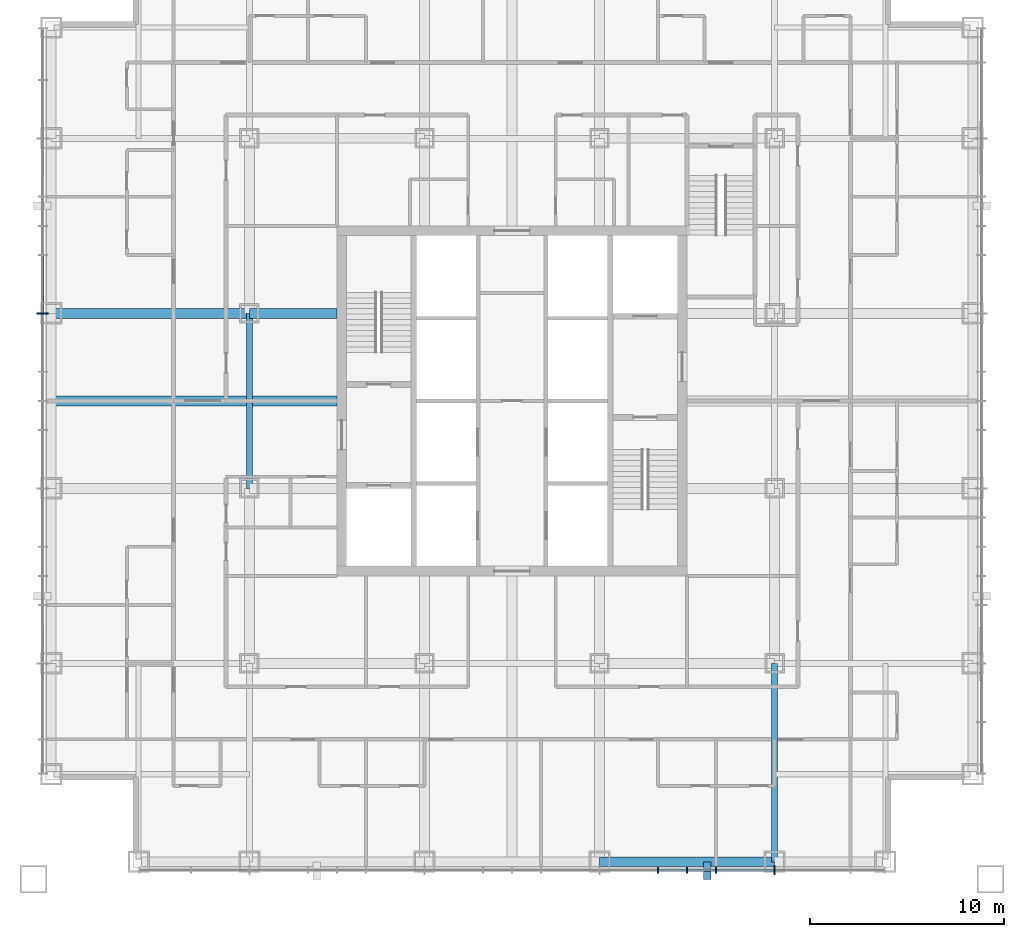
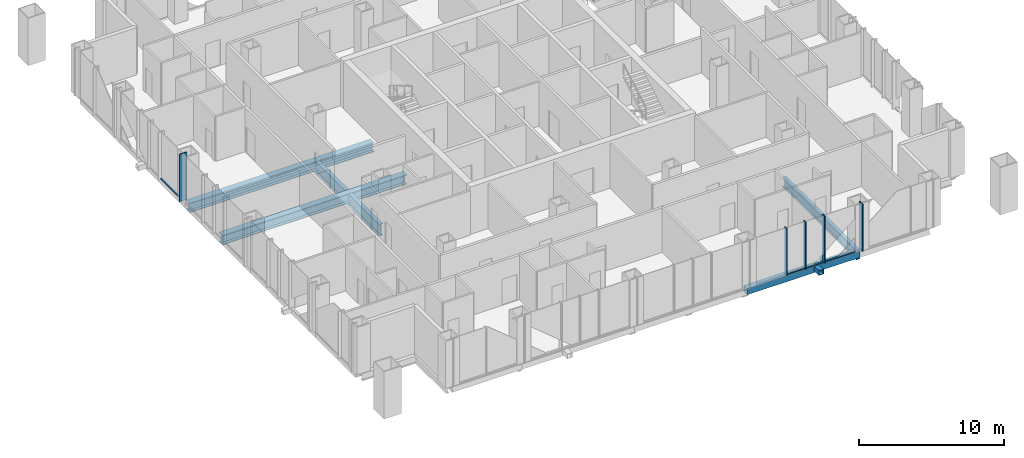
# One storey, part 3 of 14: 10 members, 6 beams, 2 elements without a shape of their own.
"""IFC4 building model written with IfcOpenShell, lengths in metres."""

import ifcopenshell
import ifcopenshell.guid

model = None  # the IFC model being written
_history = None  # IfcOwnerHistory: only IFC2X3 demands one
_inside = {}  # id of a spatial element -> (the spatial element, [elements in it])
_under = {}  # id of a project, library or spatial element -> (it, [spatial elements below it])
_declared = {}  # id of a project -> (the project, [libraries it declares])
_typed = {}  # id of a type object -> (the type object, [elements of that type])
_made_of = {}  # id of a material, layer set ... -> (it, [elements and type objects made of it])


def new_model(schema):
    """Start an empty IFC model of exactly this schema.

    Asked for "IFC4X3", IfcOpenShell would pick the latest addendum, in which some entities
    have other attributes; the version numbers below select the first issue.
    IFC2X3 requires an IfcOwnerHistory on every rooted entity: one is made here for all.
    """
    global model, _history
    if schema == "IFC4X3":
        model = ifcopenshell.file(schema_version=(4, 3, 0, 0))
    else:
        model = ifcopenshell.file(schema=schema)
    _inside.clear()
    _under.clear()
    _declared.clear()
    _typed.clear()
    _made_of.clear()
    _history = None
    if model.schema == "IFC2X3":
        org = make("IfcOrganization", Name="unknown")
        user = make(
            "IfcPersonAndOrganization",
            ThePerson=make("IfcPerson", FamilyName="unknown"),
            TheOrganization=org,
        )
        app = make(
            "IfcApplication",
            ApplicationDeveloper=org,
            Version="unknown",
            ApplicationFullName="unknown",
            ApplicationIdentifier="unknown",
        )
        _history = make(
            "IfcOwnerHistory",
            OwningUser=user,
            OwningApplication=app,
            ChangeAction="ADDED",
            CreationDate=0,
        )
    return model


def make(cls, **values):
    """One entity of the class cls with the attributes given. An attribute that is None is left unset."""
    return model.create_entity(
        cls, **{name: value for name, value in values.items() if value is not None}
    )


def rooted(cls, **values):
    """An entity with a GlobalId (a new one), such as an element, a storey or a relation."""
    return make(cls, GlobalId=ifcopenshell.guid.new(), OwnerHistory=_history, **values)


def si_unit(unit_type, name, prefix=None):
    """IfcSIUnit, for example si_unit("LENGTHUNIT", "METRE", prefix="MILLI")."""
    return make("IfcSIUnit", UnitType=unit_type, Prefix=prefix, Name=name)


def assignment(units):
    """IfcUnitAssignment: the units of a project."""
    return None if units is None else make("IfcUnitAssignment", Units=units)


def point(xyz):
    """IfcCartesianPoint."""
    return None if xyz is None else make("IfcCartesianPoint", Coordinates=xyz)


def direction(xyz):
    """IfcDirection."""
    return None if xyz is None else make("IfcDirection", DirectionRatios=xyz)


def frame(location, z_axis=None, x_axis=None):
    """IfcAxis2Placement3D, a coordinate frame: its origin and axes. An axis left out is left unset."""
    return make(
        "IfcAxis2Placement3D",
        Location=point(location),
        Axis=direction(z_axis),
        RefDirection=direction(x_axis),
    )


def frame_2d(location, x_axis=None):
    """IfcAxis2Placement2D, a coordinate frame in the plane: its origin and x axis."""
    return make(
        "IfcAxis2Placement2D", Location=point(location), RefDirection=direction(x_axis)
    )


def origin():
    """The frame at (0, 0, 0) with its axes left unset."""
    return frame((0.0, 0.0, 0.0))


def origin_2d():
    """The frame at (0, 0) in the plane with its x axis left unset."""
    return frame_2d((0.0, 0.0))


def place(relative_to, where):
    """IfcLocalPlacement: puts the frame where relative to a parent placement (None: the world)."""
    return make(
        "IfcLocalPlacement", PlacementRelTo=relative_to, RelativePlacement=where
    )


def context(
    kind, dimensions, precision=None, world=None, true_north=None, identifier=None
):
    """IfcGeometricRepresentationContext, for example the 3D "Model" context."""
    return make(
        "IfcGeometricRepresentationContext",
        ContextIdentifier=identifier,
        ContextType=kind,
        CoordinateSpaceDimension=dimensions,
        Precision=precision,
        WorldCoordinateSystem=world,
        TrueNorth=true_north,
    )


def subcontext(parent, identifier, kind, view, scale=None):
    """IfcGeometricRepresentationSubContext, for example "Body" below "Model"."""
    return make(
        "IfcGeometricRepresentationSubContext",
        ContextIdentifier=identifier,
        ContextType=kind,
        ParentContext=parent,
        TargetScale=scale,
        TargetView=view,
    )


def project(units=None, contexts=None):
    """IfcProject with its units and contexts."""
    return rooted(
        "IfcProject",
        Name="project",
        RepresentationContexts=contexts,
        UnitsInContext=assignment(units),
    )


def spatial(cls, under=None, at=None, **own):
    """A site, building, storey or space (cls), placed at a placement, below another one or the project."""
    s = rooted(cls, ObjectPlacement=at, **own)
    if under is not None:
        _under.setdefault(under.id(), (under, []))[1].append(s)
    return s


def profile(cls, at=None, kind="AREA", **sizes):
    """A parametric profile (cls). Its sizes go by their IFC names, for example OverallWidth=200.0."""
    return make(cls, ProfileType=kind, Position=at, **sizes)


def rectangle(**sizes):
    """IfcRectangleProfileDef."""
    return profile("IfcRectangleProfileDef", **sizes)


def hollow_rectangle(**sizes):
    """IfcRectangleHollowProfileDef."""
    return profile("IfcRectangleHollowProfileDef", **sizes)


def i_section(**sizes):
    """IfcIShapeProfileDef."""
    return profile("IfcIShapeProfileDef", **sizes)


def extrude(swept, where, along, depth):
    """IfcExtrudedAreaSolid: the profile swept, set in the frame where, extruded along a direction by depth."""
    return make(
        "IfcExtrudedAreaSolid",
        SweptArea=swept,
        Position=where,
        ExtrudedDirection=direction(along),
        Depth=depth,
    )


def shape(context_of_items, identifier, shape_type, items):
    """IfcShapeRepresentation: the items that make up one representation, for example the "Body"."""
    return make(
        "IfcShapeRepresentation",
        ContextOfItems=context_of_items,
        RepresentationIdentifier=identifier,
        RepresentationType=shape_type,
        Items=items,
    )


def material(Name=None, Category=None):
    """IfcMaterial."""
    return make("IfcMaterial", Name=Name, Category=Category)


def layer(
    of_material, thickness, ventilated=None, Name=None, Category=None, Priority=None
):
    """IfcMaterialLayer: one layer of a wall or slab, of a material (None: an air gap)."""
    return make(
        "IfcMaterialLayer",
        Material=of_material,
        LayerThickness=thickness,
        IsVentilated=ventilated,
        Name=Name,
        Category=Category,
        Priority=Priority,
    )


def layer_set(layers, Name=None):
    """IfcMaterialLayerSet."""
    return make("IfcMaterialLayerSet", MaterialLayers=layers, LayerSetName=Name)


def material_profile(
    of_material, cross_section, Name=None, Category=None, Priority=None
):
    """IfcMaterialProfile: a cross section and its material."""
    return make(
        "IfcMaterialProfile",
        Name=Name,
        Material=of_material,
        Profile=cross_section,
        Priority=Priority,
        Category=Category,
    )


def profile_set(profiles, Name=None, composite=None):
    """IfcMaterialProfileSet."""
    return make(
        "IfcMaterialProfileSet",
        Name=Name,
        MaterialProfiles=profiles,
        CompositeProfile=composite,
    )


def made_of(thing, what):
    """Note that an element or type object is made of a material, layer set ...; save() writes the relation."""
    if what is not None:
        _made_of.setdefault(what.id(), (what, []))[1].append(thing)
    return thing


def type_object(cls, material=None, **own):
    """A type object (cls), such as IfcWallType, which elements share."""
    return made_of(rooted(cls, **own), material)


def element(
    cls,
    number,
    at=None,
    inside=None,
    cuts=None,
    type_object=None,
    material=None,
    context=None,
    identifier="Body",
    shape_type=None,
    held_by="IfcProductDefinitionShape",
    body=None,
    shapes=None,
    **own,
):
    """One element of the class cls, such as IfcWall. Its Tag is "e" and its number.

    at: its placement. inside: the storey or other place that contains it. cuts: it is an
    opening in that element (IfcRelVoidsElement). A single representation is given by context,
    identifier, shape_type and body (its items); several are given by shapes. held_by: the class
    of the entity that holds the representations. save() writes the other relations.
    """
    e = rooted(cls, Tag="e%d" % number, ObjectPlacement=at, **own)
    if body is not None:
        shapes = [shape(context, identifier, shape_type, body)]
    if shapes is not None:
        e.Representation = make(held_by, Representations=shapes)
    if inside is not None:
        _inside.setdefault(inside.id(), (inside, []))[1].append(e)
    if cuts is not None:
        rooted(
            "IfcRelVoidsElement", RelatingBuildingElement=cuts, RelatedOpeningElement=e
        )
    if type_object is not None:
        _typed.setdefault(type_object.id(), (type_object, []))[1].append(e)
    return made_of(e, material)


def aggregate(whole, parts):
    """IfcRelAggregates: a whole, such as a stair, and the parts it consists of."""
    return rooted("IfcRelAggregates", RelatingObject=whole, RelatedObjects=parts)


def save(model, path):
    """Write the relations noted so far, then the file.

    IfcRelAggregates (storeys below a building ...), IfcRelContainedInSpatialStructure (elements
    in a storey), IfcRelDefinesByType, IfcRelAssociatesMaterial and IfcRelDeclares: one each for
    every whole, place, type object, material and project.
    """
    for whole, parts in _under.values():
        aggregate(whole, parts)
    for where, things in _inside.values():
        rooted(
            "IfcRelContainedInSpatialStructure",
            RelatedElements=things,
            RelatingStructure=where,
        )
    for kind, things in _typed.values():
        rooted("IfcRelDefinesByType", RelatedObjects=things, RelatingType=kind)
    for what, things in _made_of.values():
        rooted("IfcRelAssociatesMaterial", RelatedObjects=things, RelatingMaterial=what)
    for by, libraries in _declared.values():
        rooted("IfcRelDeclares", RelatingContext=by, RelatedDefinitions=libraries)
    model.write(path)


model = new_model("IFC4")

# Units and contexts
model_context = context("Model", 3, precision=1e-05, world=origin(), true_north=direction((0.0, 1.0)))
body_context = subcontext(model_context, "Body", "Model", "MODEL_VIEW")
ifc_project = project(units=[si_unit("LENGTHUNIT", "METRE"), si_unit("AREAUNIT", "SQUARE_METRE"), si_unit("VOLUMEUNIT", "CUBIC_METRE"), si_unit("PLANEANGLEUNIT", "RADIAN"), si_unit("MASSUNIT", "GRAM", prefix="KILO")], contexts=[model_context])

# Site, building, storey
site_placement = place(None, origin())
site = spatial("IfcSite", under=ifc_project, at=site_placement, CompositionType="ELEMENT")
building_placement = place(site_placement, origin())
building = spatial("IfcBuilding", under=site, at=building_placement, Name="Malebo Sky Hospital", CompositionType="ELEMENT")
storey_placement = place(building_placement, frame((0.0, 0.0, 128.0)))
storey = spatial("IfcBuildingStorey", under=building, at=storey_placement, Name="L30", CompositionType="ELEMENT", Elevation=128.0)

# Curtain wall, member
ifc_material_1 = material(Name="Anodised aluminium, natural silver", Category="aluminium")
ifc_layer_1 = layer(ifc_material_1, 0.25)
ifc_layer_set_1 = layer_set([ifc_layer_1], Name="WARD CURTAIN WALL EAST AND WEST")
curtain_wall_type_1 = type_object("IfcCurtainWallType", Name="WARD CURTAIN WALL EAST AND WEST", PredefinedType="NOTDEFINED", material=ifc_layer_set_1)
curtain_wall_1_placement = place(storey_placement, origin())
curtain_wall_1 = element("IfcCurtainWall", 1, at=curtain_wall_1_placement, inside=storey, type_object=curtain_wall_type_1, Name="EW curtain wall W", PredefinedType="NOTDEFINED")
ifc_material_profile_1 = material_profile(ifc_material_1, rectangle(XDim=0.14990234375, YDim=0.10009765625, at=origin_2d()), Name="ALUMINIUM TRANSOM 150x100")
ifc_profile_set_1 = profile_set([ifc_material_profile_1], Name="Anodised aluminium, natural silver")
member_type_1 = type_object("IfcMemberType", Name="ALUMINIUM TRANSOM 150x100", PredefinedType="USERDEFINED", material=ifc_profile_set_1)
member_1_placement = place(storey_placement, frame((35.864990234375, 66.53759765625, 0.050048828125), z_axis=(0.0, 1.0, 0.0), x_axis=(-1.0, 0.0, 0.0)))
member_1 = element("IfcMember", 2, at=member_1_placement, type_object=member_type_1, Name="Transom 11", ObjectType="TRANSOM", PredefinedType="USERDEFINED", context=body_context, shape_type="SweptSolid", body=[
    extrude(rectangle(XDim=0.14990234375, YDim=0.10009765625, at=origin_2d()), origin(), (0.0, 0.0, 1.0), 2.9248046875),
])

# Curtain wall, members
ifc_layer_2 = layer(ifc_material_1, 0.25)
ifc_layer_set_2 = layer_set([ifc_layer_2], Name="WARD CURTAIN WALL NORTH AND SOUTH")
curtain_wall_type_2 = type_object("IfcCurtainWallType", Name="WARD CURTAIN WALL NORTH AND SOUTH", PredefinedType="NOTDEFINED", material=ifc_layer_set_2)
curtain_wall_2_placement = place(storey_placement, origin())
curtain_wall_2 = element("IfcCurtainWall", 3, at=curtain_wall_2_placement, inside=storey, type_object=curtain_wall_type_2, Name="NS curtain wall S", PredefinedType="NOTDEFINED")
member_2_placement = place(storey_placement, frame((73.46240234375, 37.864990234375, 0.050048828125), z_axis=(-1.0, 0.0, 0.0), x_axis=(0.0, -1.0, 0.0)))
member_2 = element("IfcMember", 4, at=member_2_placement, type_object=member_type_1, Name="Transom 3", ObjectType="TRANSOM", PredefinedType="USERDEFINED", context=body_context, shape_type="SweptSolid", body=[
    extrude(rectangle(XDim=0.14990234375, YDim=0.10009765625, at=origin_2d()), origin(), (0.0, 0.0, 1.0), 2.9248046875),
])
member_3_placement = place(storey_placement, frame((70.46240234375, 37.864990234375, 0.050048828125), z_axis=(-1.0, 0.0, 0.0), x_axis=(0.0, -1.0, 0.0)))
member_3 = element("IfcMember", 5, at=member_3_placement, type_object=member_type_1, Name="Transom 4", ObjectType="TRANSOM", PredefinedType="USERDEFINED", context=body_context, shape_type="SweptSolid", body=[
    extrude(rectangle(XDim=0.14990234375, YDim=0.10009765625, at=origin_2d()), origin(), (0.0, 0.0, 1.0), 1.4248046875),
])
member_4_placement = place(storey_placement, frame((68.96240234375, 37.864990234375, 0.050048828125), z_axis=(-1.0, 0.0, 0.0), x_axis=(0.0, -1.0, 0.0)))
member_4 = element("IfcMember", 6, at=member_4_placement, type_object=member_type_1, Name="Transom 5", ObjectType="TRANSOM", PredefinedType="USERDEFINED", context=body_context, shape_type="SweptSolid", body=[
    extrude(rectangle(XDim=0.14990234375, YDim=0.10009765625, at=origin_2d()), origin(), (0.0, 0.0, 1.0), 1.4248046875),
])

# Member
ifc_material_2 = material(Name="Steel S355", Category="steel")
ifc_material_profile_2 = material_profile(ifc_material_2, hollow_rectangle(XDim=0.39990234375, YDim=0.39990234375, WallThickness=0.02001953125, at=origin_2d()), Name="SHS 400x20")
ifc_profile_set_2 = profile_set([ifc_material_profile_2], Name="Steel S355")
member_type_2 = type_object("IfcMemberType", Name="BRACE STRUT SHS 400x20", PredefinedType="STRUT", material=ifc_profile_set_2)
member_5_placement = place(storey_placement, frame((70.040283203125, 37.39990234375, -0.39990234375), z_axis=(0.0, 1.0, 0.0), x_axis=(-1.0, 0.0, 0.0)))
element("IfcMember", 7, at=member_5_placement, inside=storey, type_object=member_type_2, Name="Brace strut BS1 L30", PredefinedType="STRUT", context=body_context, shape_type="SweptSolid", body=[
    extrude(hollow_rectangle(XDim=0.39990234375, YDim=0.39990234375, WallThickness=0.02001953125, at=origin_2d()), origin(), (0.0, 0.0, 1.0), 0.900146484375),
])

ifc_material_profile_3 = material_profile(ifc_material_1, rectangle(XDim=0.074951171875, YDim=0.300048828125, at=origin_2d()), Name="CW1 ALUMINIUM FIN MULLION 75x300")
ifc_profile_set_3 = profile_set([ifc_material_profile_3], Name="Anodised aluminium, natural silver")
member_type_3 = type_object("IfcMemberType", Name="CW1 ALUMINIUM FIN MULLION 75x300", PredefinedType="MULLION", material=ifc_profile_set_3)
member_6_placement = place(storey_placement, frame((70.5, 37.864990234375, 0.0), z_axis=(0.0, 0.0, 1.0), x_axis=(-1.0, 0.0, 0.0)))
member_6 = element("IfcMember", 8, at=member_6_placement, type_object=member_type_3, Name="Fin mullion 4", PredefinedType="MULLION", context=body_context, shape_type="SweptSolid", body=[
    extrude(rectangle(XDim=0.074951171875, YDim=0.300048828125, at=origin_2d()), origin(), (0.0, 0.0, 1.0), 4.0),
])

member_7_placement = place(storey_placement, frame((69.0, 37.864990234375, 0.0), z_axis=(0.0, 0.0, 1.0), x_axis=(-1.0, 0.0, 0.0)))
member_7 = element("IfcMember", 9, at=member_7_placement, type_object=member_type_3, Name="Fin mullion 5", PredefinedType="MULLION", context=body_context, shape_type="SweptSolid", body=[
    extrude(rectangle(XDim=0.074951171875, YDim=0.300048828125, at=origin_2d()), origin(), (0.0, 0.0, 1.0), 4.0),
])

member_8_placement = place(storey_placement, frame((67.5, 37.864990234375, 0.0), z_axis=(0.0, 0.0, 1.0), x_axis=(-1.0, 0.0, 0.0)))
member_8 = element("IfcMember", 10, at=member_8_placement, type_object=member_type_3, Name="Fin mullion 6", PredefinedType="MULLION", context=body_context, shape_type="SweptSolid", body=[
    extrude(rectangle(XDim=0.074951171875, YDim=0.300048828125, at=origin_2d()), origin(), (0.0, 0.0, 1.0), 4.0),
])

ifc_material_profile_4 = material_profile(ifc_material_1, rectangle(XDim=0.074951171875, YDim=0.449951171875, at=origin_2d()), Name="CW1 ALUMINIUM FIN MULLION 75x450")
ifc_profile_set_4 = profile_set([ifc_material_profile_4], Name="Anodised aluminium, natural silver")
member_type_4 = type_object("IfcMemberType", Name="CW1 ALUMINIUM FIN MULLION 75x450", PredefinedType="MULLION", material=ifc_profile_set_4)
member_9_placement = place(storey_placement, frame((73.5, 37.864990234375, 0.0), z_axis=(0.0, 0.0, 1.0), x_axis=(-1.0, 0.0, 0.0)))
member_9 = element("IfcMember", 11, at=member_9_placement, type_object=member_type_4, Name="Fin mullion 3", PredefinedType="MULLION", context=body_context, shape_type="SweptSolid", body=[
    extrude(rectangle(XDim=0.074951171875, YDim=0.449951171875, at=origin_2d()), origin(), (0.0, 0.0, 1.0), 4.0),
])

aggregate(curtain_wall_2, [member_9, member_6, member_7, member_8, member_2, member_3, member_4])

ifc_material_profile_5 = material_profile(ifc_material_1, rectangle(XDim=0.074951171875, YDim=0.60009765625, at=origin_2d()), Name="CW2 ALUMINIUM FIN MULLION 75x600")
ifc_profile_set_5 = profile_set([ifc_material_profile_5], Name="Anodised aluminium, natural silver")
member_type_5 = type_object("IfcMemberType", Name="CW2 ALUMINIUM FIN MULLION 75x600", PredefinedType="MULLION", material=ifc_profile_set_5)
member_10_placement = place(storey_placement, frame((35.864990234375, 66.5, 0.0), z_axis=(0.0, 0.0, 1.0), x_axis=(0.0, 1.0, 0.0)))
member_10 = element("IfcMember", 12, at=member_10_placement, type_object=member_type_5, Name="Fin mullion 11", PredefinedType="MULLION", context=body_context, shape_type="SweptSolid", body=[
    extrude(rectangle(XDim=0.074951171875, YDim=0.60009765625, at=origin_2d()), origin(), (0.0, 0.0, 1.0), 4.0),
])

aggregate(curtain_wall_1, [member_10, member_1])

# Beams
ifc_material_3 = material(Name="Steel S460", Category="steel")
ifc_material_profile_6 = material_profile(ifc_material_3, hollow_rectangle(XDim=0.5, YDim=0.5, WallThickness=0.030029296875, at=origin_2d()), Name="BOX 500x500x30")
ifc_profile_set_6 = profile_set([ifc_material_profile_6], Name="Steel S460")
beam_type_1 = type_object("IfcBeamType", Name="EDGE BEAM BOX 500x500x30", PredefinedType="BEAM", material=ifc_profile_set_6)
beam_1_placement = place(storey_placement, frame((64.5, 38.300048828125, -0.5), z_axis=(1.0, 0.0, 0.0), x_axis=(0.0, 1.0, 0.0)))
element("IfcBeam", 13, at=beam_1_placement, inside=storey, type_object=beam_type_1, Name="Beam 037 L30", PredefinedType="BEAM", context=body_context, shape_type="SweptSolid", body=[
    extrude(hollow_rectangle(XDim=0.5, YDim=0.5, WallThickness=0.030029296875, at=origin_2d()), origin(), (0.0, 0.0, 1.0), 9.0),
])
ifc_material_profile_7 = material_profile(ifc_material_2, i_section(OverallWidth=0.5, OverallDepth=0.800048828125, WebThickness=0.030029296875, FlangeThickness=0.050048828125, at=origin_2d()), Name="PG 800x500x30x50")
ifc_profile_set_7 = profile_set([ifc_material_profile_7], Name="Steel S355")
beam_type_2 = type_object("IfcBeamType", Name="FLOOR BEAM PG 800x500x30x50", PredefinedType="BEAM", material=ifc_profile_set_7)
beam_2_placement = place(storey_placement, frame((36.300048828125, 62.0, -0.64990234375), z_axis=(1.0, 0.0, 0.0), x_axis=(0.0, 1.0, 0.0)))
element("IfcBeam", 14, at=beam_2_placement, inside=storey, type_object=beam_type_2, Name="Beam 050 L30", PredefinedType="BEAM", context=body_context, shape_type="SweptSolid", body=[
    extrude(i_section(OverallWidth=0.5, OverallDepth=0.800048828125, WebThickness=0.030029296875, FlangeThickness=0.050048828125, at=origin_2d()), origin(), (0.0, 0.0, 1.0), 14.699951171875),
])
beam_3_placement = place(storey_placement, frame((36.300048828125, 66.5, -0.64990234375), z_axis=(1.0, 0.0, 0.0), x_axis=(0.0, 1.0, 0.0)))
element("IfcBeam", 15, at=beam_3_placement, inside=storey, type_object=beam_type_2, Name="Beam 052 L30", PredefinedType="BEAM", context=body_context, shape_type="SweptSolid", body=[
    extrude(i_section(OverallWidth=0.5, OverallDepth=0.800048828125, WebThickness=0.030029296875, FlangeThickness=0.050048828125, at=origin_2d()), origin(), (0.0, 0.0, 1.0), 10.199951171875),
])
beam_4_placement = place(storey_placement, frame((46.5, 66.5, -0.64990234375), z_axis=(1.0, 0.0, 0.0), x_axis=(0.0, 1.0, 0.0)))
element("IfcBeam", 16, at=beam_4_placement, inside=storey, type_object=beam_type_2, Name="Beam 053 L30", PredefinedType="BEAM", context=body_context, shape_type="SweptSolid", body=[
    extrude(i_section(OverallWidth=0.5, OverallDepth=0.800048828125, WebThickness=0.030029296875, FlangeThickness=0.050048828125, at=origin_2d()), origin(), (0.0, 0.0, 1.0), 4.5),
])
ifc_material_profile_8 = material_profile(ifc_material_2, i_section(OverallWidth=0.300048828125, OverallDepth=0.800048828125, WebThickness=0.017578125, FlangeThickness=0.032958984375, FilletRadius=0.030029296875, at=origin_2d()), Name="HEB 800")
ifc_profile_set_8 = profile_set([ifc_material_profile_8], Name="Steel S355")
beam_type_3 = type_object("IfcBeamType", Name="FLOOR GIRDER HEB 800", PredefinedType="BEAM", material=ifc_profile_set_8)
beam_5_placement = place(storey_placement, frame((73.5, 38.300048828125, -0.64990234375), z_axis=(0.0, 1.0, 0.0), x_axis=(-1.0, 0.0, 0.0)))
element("IfcBeam", 17, at=beam_5_placement, inside=storey, type_object=beam_type_3, Name="Beam 022 L30", PredefinedType="BEAM", context=body_context, shape_type="SweptSolid", body=[
    extrude(i_section(OverallWidth=0.300048828125, OverallDepth=0.800048828125, WebThickness=0.017578125, FlangeThickness=0.032958984375, FilletRadius=0.030029296875, at=origin_2d()), origin(), (0.0, 0.0, 1.0), 10.199951171875),
])
ifc_material_profile_9 = material_profile(ifc_material_2, i_section(OverallWidth=0.300048828125, OverallDepth=1.0, WebThickness=0.01904296875, FlangeThickness=0.035888671875, FilletRadius=0.030029296875, at=origin_2d()), Name="HEB 1000")
ifc_profile_set_9 = profile_set([ifc_material_profile_9], Name="Steel S355")
beam_type_4 = type_object("IfcBeamType", Name="RING GIRDER HEB 1000", PredefinedType="BEAM", material=ifc_profile_set_9)
beam_6_placement = place(storey_placement, frame((46.5, 57.5, -0.75), z_axis=(0.0, 1.0, 0.0), x_axis=(-1.0, 0.0, 0.0)))
element("IfcBeam", 18, at=beam_6_placement, inside=storey, type_object=beam_type_4, Name="Beam 009 L30", PredefinedType="BEAM", context=body_context, shape_type="SweptSolid", body=[
    extrude(i_section(OverallWidth=0.300048828125, OverallDepth=1.0, WebThickness=0.01904296875, FlangeThickness=0.035888671875, FilletRadius=0.030029296875, at=origin_2d()), origin(), (0.0, 0.0, 1.0), 9.0),
])

save(model, "model.ifc")
